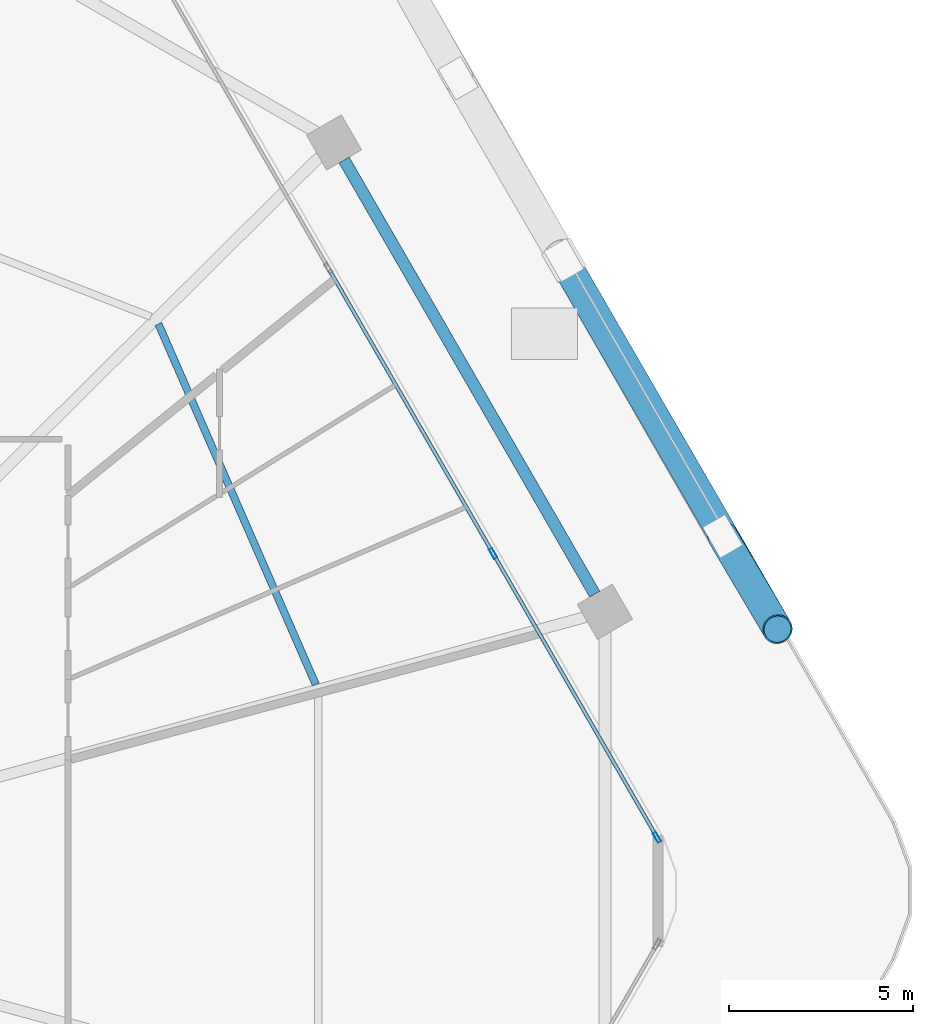
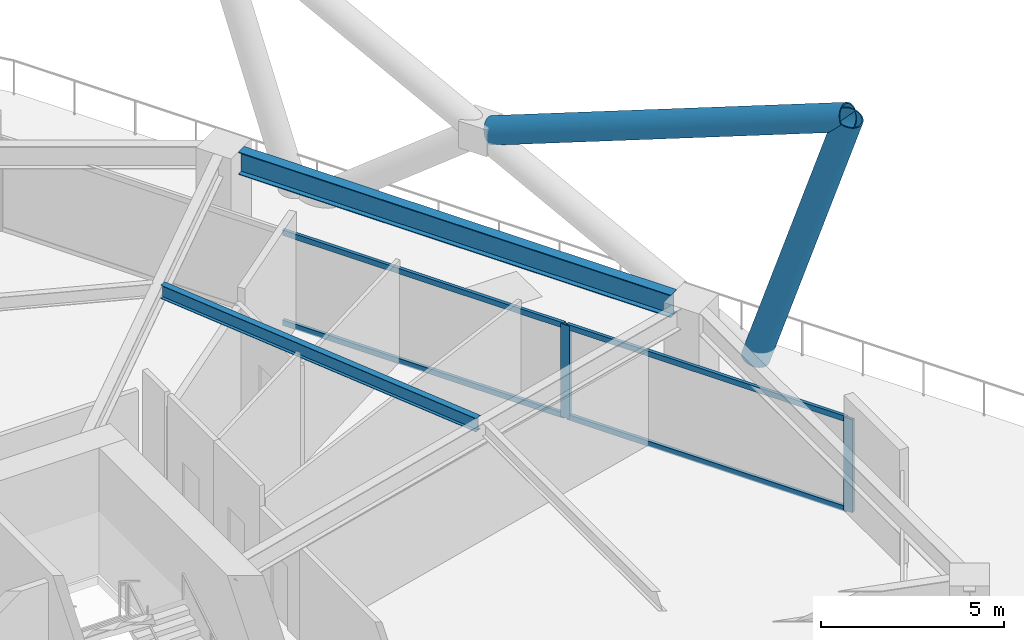
# One storey, part 18 of 28: 8 members, 2 beams, 1 element without a shape of its own.
"""IFC4 building model written with IfcOpenShell, lengths in metres."""

from ifc_helpers import new_model, si_unit, direction, frame, origin, origin_2d, place, context, subcontext, project, spatial, hollow_rectangle, hollow_circle, i_section, extrude, material, material_profile, profile_set, type_object, element, aggregate, save


model = new_model("IFC4")

# Units and contexts
model_context = context("Model", 3, precision=1e-05, world=origin(), true_north=direction((0.0, 1.0)))
body_context = subcontext(model_context, "Body", "Model", "MODEL_VIEW")
ifc_project = project(units=[si_unit("LENGTHUNIT", "METRE"), si_unit("AREAUNIT", "SQUARE_METRE"), si_unit("VOLUMEUNIT", "CUBIC_METRE"), si_unit("PLANEANGLEUNIT", "RADIAN"), si_unit("MASSUNIT", "GRAM", prefix="KILO")], contexts=[model_context])

# Site, building, storey
site_placement = place(None, origin())
site = spatial("IfcSite", under=ifc_project, at=site_placement, CompositionType="ELEMENT")
building_placement = place(site_placement, origin())
building = spatial("IfcBuilding", under=site, at=building_placement, Name="Zuhravey Tower", CompositionType="ELEMENT")
storey_placement = place(building_placement, frame((0.0, 0.0, 83.39990234375)))
storey = spatial("IfcBuildingStorey", under=building, at=storey_placement, Name="L20", CompositionType="ELEMENT", Elevation=83.39990234375)

# Members
ifc_material_1 = material(Name="Steel SM460", Category="steel")
ifc_material_profile_1 = material_profile(ifc_material_1, hollow_circle(Radius=0.406494140625, WallThickness=0.035888671875, at=origin_2d()), Name="CHS-812.8x36")
ifc_profile_set_1 = profile_set([ifc_material_profile_1], Name="Steel SM460")
member_type_1 = type_object("IfcMemberType", Name="Exoskeleton Zone 1 Diagrid CHS813x36", PredefinedType="BRACE", material=ifc_profile_set_1)
member_1_placement = place(storey_placement, frame((67.095458984375, 41.637939453125, -0.471923828125), z_axis=(0.157674993935, -0.266761084923, 0.950777113659), x_axis=(0.860865118485, 0.508833221965, 0.0)))
element("IfcMember", 1, at=member_1_placement, inside=storey, type_object=member_type_1, Name="L20 Face 1 Diagrid Brace 1", PredefinedType="BRACE", context=body_context, shape_type="SweptSolid", body=[
    extrude(hollow_circle(Radius=0.406494140625, WallThickness=0.035888671875, at=origin_2d()), origin(), (0.0, 0.0, 1.0), 9.451416015625),
])
member_2_placement = place(storey_placement, frame((62.957275390625, 48.83642578125, 4.164794921875), z_axis=(0.467041932107, -0.806520317956, 0.362486979598), x_axis=(0.865375514359, 0.501123955871, 0.0)))
element("IfcMember", 2, at=member_2_placement, inside=storey, type_object=member_type_1, Name="L20 Face 1 Split Diagrid Brace 3B", PredefinedType="BRACE", context=body_context, shape_type="SweptSolid", body=[
    extrude(hollow_circle(Radius=0.406494140625, WallThickness=0.035888671875, at=origin_2d()), origin(), (0.0, 0.0, 1.0), 12.011474609375),
])

# Curtain wall, members
ifc_material_2 = material(Name="Thermally broken anodised aluminium", Category="aluminium")
curtain_wall_type = type_object("IfcCurtainWallType", Name="Sky-Playground Recessed Curtain Wall CW2", PredefinedType="NOTDEFINED", material=ifc_material_2)
curtain_wall_placement = place(storey_placement, origin())
curtain_wall = element("IfcCurtainWall", 3, at=curtain_wall_placement, inside=storey, type_object=curtain_wall_type, Name="L20 CW2 CW-L20-F1-1", PredefinedType="NOTDEFINED")
ifc_material_3 = material(Name="Anodised aluminium", Category="aluminium")
ifc_material_profile_2 = material_profile(ifc_material_3, hollow_rectangle(XDim=0.10009765625, YDim=0.2900390625, WallThickness=0.006103515625, at=origin_2d()), Name="ALU-RHS-100x290x6")
ifc_profile_set_2 = profile_set([ifc_material_profile_2], Name="Anodised aluminium")
member_type_2 = type_object("IfcMemberType", Name="Heavy Tall-Storey Mullion 100x220", PredefinedType="MULLION", material=ifc_profile_set_2)
member_3_placement = place(storey_placement, frame((60.85107421875, 41.173583984375, 0.0), z_axis=(0.0, 0.0, 1.0), x_axis=(0.866025967368, 0.499999023843, 0.0)))
member_3 = element("IfcMember", 4, at=member_3_placement, type_object=member_type_2, Name="CW2 mullion 3", PredefinedType="MULLION", context=body_context, shape_type="SweptSolid", body=[
    extrude(hollow_rectangle(XDim=0.10009765625, YDim=0.2900390625, WallThickness=0.006103515625, at=origin_2d()), origin(), (0.0, 0.0, 1.0), 3.10009765625),
])
member_4_placement = place(storey_placement, frame((65.306884765625, 33.455810546875, 0.0), z_axis=(0.0, 0.0, 1.0), x_axis=(0.866025967368, 0.499999023843, 0.0)))
member_4 = element("IfcMember", 5, at=member_4_placement, type_object=member_type_2, Name="CW2 mullion 4", PredefinedType="MULLION", context=body_context, shape_type="SweptSolid", body=[
    extrude(hollow_rectangle(XDim=0.10009765625, YDim=0.2900390625, WallThickness=0.006103515625, at=origin_2d()), origin(), (0.0, 0.0, 1.0), 3.10009765625),
])

# Beams
ifc_material_4 = material(Name="Steel SM355", Category="steel")
ifc_material_profile_3 = material_profile(ifc_material_4, i_section(OverallWidth=0.320068359375, OverallDepth=0.75, WebThickness=0.013916015625, FlangeThickness=0.02490234375, at=origin_2d()), Name="H-750x320x14x25")
ifc_profile_set_3 = profile_set([ifc_material_profile_3], Name="Steel SM355")
beam_type_1 = type_object("IfcBeamType", Name="Perimeter Ring Beam H750x320", PredefinedType="BEAM", material=ifc_profile_set_3)
beam_1_placement = place(storey_placement, frame((63.612548828125, 40.070556640625, 3.47509765625), z_axis=(-0.500008177929, 0.866020682204, 0.0), x_axis=(-0.866020682204, -0.500008177929, 0.0)))
element("IfcBeam", 6, at=beam_1_placement, inside=storey, type_object=beam_type_1, Name="L20 PB1 BM-L20-PB-01", PredefinedType="BEAM", context=body_context, shape_type="SweptSolid", body=[
    extrude(i_section(OverallWidth=0.320068359375, OverallDepth=0.75, WebThickness=0.013916015625, FlangeThickness=0.02490234375, at=origin_2d()), origin(), (0.0, 0.0, 1.0), 13.634033203125),
])
ifc_material_profile_4 = material_profile(ifc_material_4, i_section(OverallWidth=0.199951171875, OverallDepth=0.449951171875, WebThickness=0.009033203125, FlangeThickness=0.013916015625, at=origin_2d()), Name="H-450x200x9x14")
ifc_profile_set_4 = profile_set([ifc_material_profile_4], Name="Steel SM355")
beam_type_2 = type_object("IfcBeamType", Name="Secondary Floor Joist H450x200", PredefinedType="JOIST", material=ifc_profile_set_4)
beam_2_placement = place(storey_placement, frame((56.025390625, 37.60888671875, 3.625), z_axis=(-0.399923551578, 0.916548500022, 0.0), x_axis=(-0.916548500022, -0.399923551578, 0.0)))
element("IfcBeam", 7, at=beam_2_placement, inside=storey, type_object=beam_type_2, Name="L20 SJ1 BM-L20-SJ-01-1", PredefinedType="JOIST", context=body_context, shape_type="SweptSolid", body=[
    extrude(i_section(OverallWidth=0.199951171875, OverallDepth=0.449951171875, WebThickness=0.009033203125, FlangeThickness=0.013916015625, at=origin_2d()), origin(), (0.0, 0.0, 1.0), 10.70263671875),
])

# Member
ifc_material_profile_5 = material_profile(ifc_material_3, hollow_rectangle(XDim=0.10009765625, YDim=0.179931640625, WallThickness=0.006103515625, at=origin_2d()), Name="ALU-RHS-100x180x6")
ifc_profile_set_5 = profile_set([ifc_material_profile_5], Name="Anodised aluminium")
member_type_3 = type_object("IfcMemberType", Name="Tall-Storey Transom 100x180", PredefinedType="USERDEFINED", material=ifc_profile_set_5)
member_5_placement = place(storey_placement, frame((56.39501953125, 48.8916015625, 0.050048828125), z_axis=(0.499999881977, -0.866025471925, 0.0), x_axis=(0.866025471925, 0.499999881977, 0.0)))
member_5 = element("IfcMember", 8, at=member_5_placement, type_object=member_type_3, Name="CW2 transom 2.1", ObjectType="TRANSOM", PredefinedType="USERDEFINED", context=body_context, shape_type="SweptSolid", body=[
    extrude(hollow_rectangle(XDim=0.10009765625, YDim=0.179931640625, WallThickness=0.006103515625, at=origin_2d()), origin(), (0.0, 0.0, 1.0), 8.86181640625),
])

member_6_placement = place(storey_placement, frame((56.39501953125, 48.8916015625, 3.050048828125), z_axis=(0.499999881977, -0.866025471925, 0.0), x_axis=(0.866025471925, 0.499999881977, 0.0)))
member_6 = element("IfcMember", 9, at=member_6_placement, type_object=member_type_3, Name="CW2 transom 2.2", ObjectType="TRANSOM", PredefinedType="USERDEFINED", context=body_context, shape_type="SweptSolid", body=[
    extrude(hollow_rectangle(XDim=0.10009765625, YDim=0.179931640625, WallThickness=0.006103515625, at=origin_2d()), origin(), (0.0, 0.0, 1.0), 8.86181640625),
])

member_7_placement = place(storey_placement, frame((60.8759765625, 41.13037109375, 0.050048828125), z_axis=(0.50000385009, -0.866023180923, 0.0), x_axis=(0.866023180923, 0.50000385009, 0.0)))
member_7 = element("IfcMember", 10, at=member_7_placement, type_object=member_type_3, Name="CW2 transom 3.1", ObjectType="TRANSOM", PredefinedType="USERDEFINED", context=body_context, shape_type="SweptSolid", body=[
    extrude(hollow_rectangle(XDim=0.10009765625, YDim=0.179931640625, WallThickness=0.006103515625, at=origin_2d()), origin(), (0.0, 0.0, 1.0), 8.81201171875),
])

member_8_placement = place(storey_placement, frame((60.8759765625, 41.13037109375, 3.050048828125), z_axis=(0.50000385009, -0.866023180923, 0.0), x_axis=(0.866023180923, 0.50000385009, 0.0)))
member_8 = element("IfcMember", 11, at=member_8_placement, type_object=member_type_3, Name="CW2 transom 3.2", ObjectType="TRANSOM", PredefinedType="USERDEFINED", context=body_context, shape_type="SweptSolid", body=[
    extrude(hollow_rectangle(XDim=0.10009765625, YDim=0.179931640625, WallThickness=0.006103515625, at=origin_2d()), origin(), (0.0, 0.0, 1.0), 8.81201171875),
])

aggregate(curtain_wall, [member_3, member_4, member_5, member_6, member_7, member_8])

save(model, "model.ifc")
